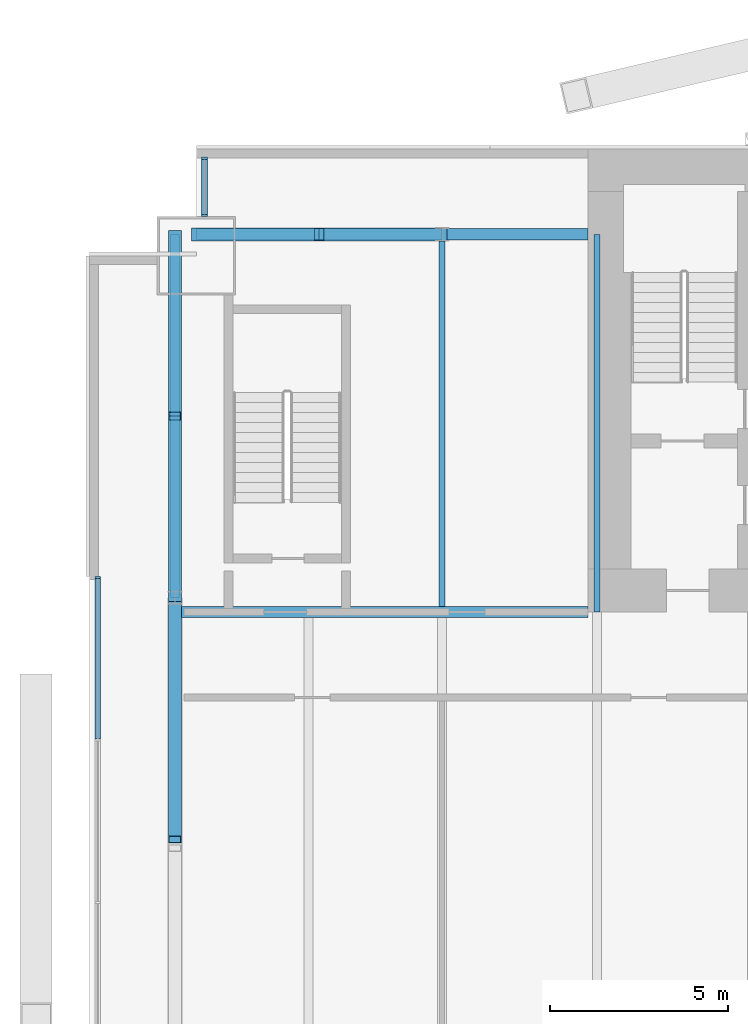
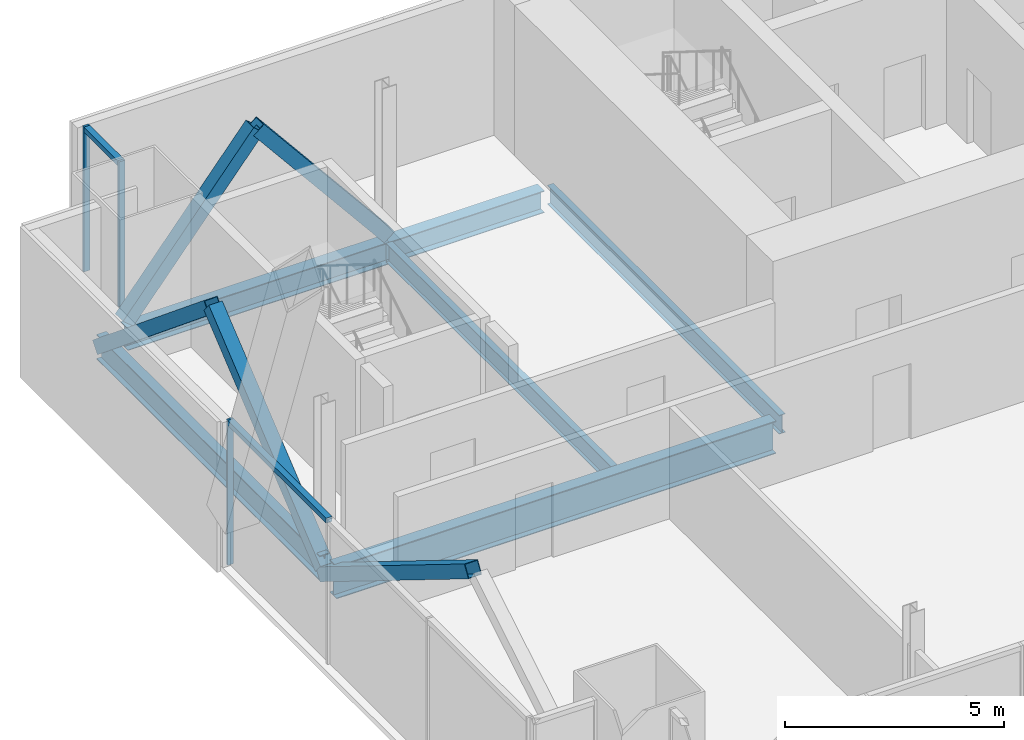
# One storey, part 9 of 23: 10 members, 6 beams, 2 elements without a shape of their own.
"""IFC4 building model written with IfcOpenShell, lengths in metres."""

from ifc_helpers import new_model, si_unit, direction, frame, origin, origin_2d, place, context, subcontext, project, spatial, rectangle, hollow_rectangle, i_section, extrude, material, material_profile, profile_set, type_object, element, aggregate, save


model = new_model("IFC4")

# Units and contexts
model_context = context("Model", 3, precision=1e-05, world=origin(), true_north=direction((0.0, 1.0)))
body_context = subcontext(model_context, "Body", "Model", "MODEL_VIEW")
ifc_project = project(units=[si_unit("LENGTHUNIT", "METRE"), si_unit("AREAUNIT", "SQUARE_METRE"), si_unit("VOLUMEUNIT", "CUBIC_METRE"), si_unit("PLANEANGLEUNIT", "RADIAN"), si_unit("MASSUNIT", "GRAM", prefix="KILO")], contexts=[model_context])

# Site, building, storey
site_placement = place(None, origin())
site = spatial("IfcSite", under=ifc_project, at=site_placement, CompositionType="ELEMENT")
building_placement = place(site_placement, origin())
building = spatial("IfcBuilding", under=site, at=building_placement, Name="Bicima Exchange Tower", CompositionType="ELEMENT")
storey_placement = place(building_placement, frame((0.0, 0.0, 262.39990234375)))
storey = spatial("IfcBuildingStorey", under=building, at=storey_placement, Name="L59", CompositionType="ELEMENT", Elevation=262.39990234375)

# Beam
ifc_material_1 = material(Name="Steel ASTM A992 Gr 50", Category="steel")
ifc_material_profile_1 = material_profile(ifc_material_1, i_section(OverallWidth=0.3046875, OverallDepth=0.911865234375, WebThickness=0.015869140625, FlangeThickness=0.02392578125, at=origin_2d()))
ifc_profile_set_1 = profile_set([ifc_material_profile_1], Name="Steel ASTM A992 Gr 50")
beam_type_1 = type_object("IfcBeamType", Name="Core-line girder W36x150", PredefinedType="BEAM", material=ifc_profile_set_1)
beam_1_placement = place(storey_placement, frame((-22.0, -13.0, -0.605712890625), z_axis=(-1.0, 0.0, 0.0), x_axis=(0.0, -1.0, 0.0)))
element("IfcBeam", 1, at=beam_1_placement, inside=storey, type_object=beam_type_1, Name="Core-line girder", PredefinedType="BEAM", context=body_context, shape_type="SweptSolid", body=[
    extrude(i_section(OverallWidth=0.3046875, OverallDepth=0.911865234375, WebThickness=0.015869140625, FlangeThickness=0.02392578125, at=origin_2d()), origin(), (0.0, 0.0, 1.0), 11.60009765625),
])

# Curtain wall, members
ifc_material_2 = material(Name="Anodised bronze aluminium", Category="aluminium")
curtain_wall_type_1 = type_object("IfcCurtainWallType", Name="End face glass wall", PredefinedType="NOTDEFINED", material=ifc_material_2)
curtain_wall_1_placement = place(storey_placement, origin())
curtain_wall_1 = element("IfcCurtainWall", 2, at=curtain_wall_1_placement, inside=storey, type_object=curtain_wall_type_1, Name="End face glass wall L59 run 2", PredefinedType="NOTDEFINED")
ifc_material_profile_2 = material_profile(ifc_material_2, rectangle(XDim=0.159912109375, YDim=0.06005859375, at=origin_2d()))
ifc_profile_set_2 = profile_set([ifc_material_profile_2], Name="Anodised bronze aluminium")
member_type_1 = type_object("IfcMemberType", Name="End face glass wall mullion 60 x 160", PredefinedType="MULLION", material=ifc_profile_set_2)
member_1_placement = place(storey_placement, frame((-35.77001953125, -12.030029296875, 0.0), z_axis=(0.0, 0.0, 1.0), x_axis=(1.0, 0.0, 0.0)))
member_1 = element("IfcMember", 3, at=member_1_placement, type_object=member_type_1, Name="End face glass wall mullion 1", PredefinedType="MULLION", context=body_context, shape_type="SweptSolid", body=[
    extrude(rectangle(XDim=0.159912109375, YDim=0.06005859375, at=origin_2d()), origin(), (0.0, 0.0, 1.0), 4.050048828125),
])
ifc_material_profile_3 = material_profile(ifc_material_2, rectangle(XDim=0.159912109375, YDim=0.139892578125, at=origin_2d()))
ifc_profile_set_3 = profile_set([ifc_material_profile_3], Name="Anodised bronze aluminium")
member_type_2 = type_object("IfcMemberType", Name="End face glass wall transom 140 x 160", PredefinedType="USERDEFINED", material=ifc_profile_set_3)
member_2_placement = place(storey_placement, frame((-35.77001953125, -12.06005859375, 3.97998046875), z_axis=(0.0, -1.0, 0.0), x_axis=(1.0, 0.0, 0.0)))
member_2 = element("IfcMember", 4, at=member_2_placement, type_object=member_type_2, Name="End face glass wall transom 1.1", ObjectType="TRANSOM", PredefinedType="USERDEFINED", context=body_context, shape_type="SweptSolid", body=[
    extrude(rectangle(XDim=0.159912109375, YDim=0.139892578125, at=origin_2d()), origin(), (0.0, 0.0, 1.0), 4.505859375),
])
aggregate(curtain_wall_1, [member_1, member_2])

# Beams
ifc_material_profile_4 = material_profile(ifc_material_1, i_section(OverallWidth=0.256591796875, OverallDepth=0.693359375, WebThickness=0.014404296875, FlangeThickness=0.023681640625, at=origin_2d()))
ifc_profile_set_4 = profile_set([ifc_material_profile_4], Name="Steel ASTM A992 Gr 50")
beam_type_2 = type_object("IfcBeamType", Name="End girder W27x114", PredefinedType="BEAM", material=ifc_profile_set_4)
beam_2_placement = place(storey_placement, frame((-33.60009765625, -2.39990234375, -0.49658203125), z_axis=(0.0, -1.0, 0.0), x_axis=(1.0, 0.0, 0.0)))
element("IfcBeam", 5, at=beam_2_placement, inside=storey, type_object=beam_type_2, Name="End girder", PredefinedType="BEAM", context=body_context, shape_type="SweptSolid", body=[
    extrude(i_section(OverallWidth=0.256591796875, OverallDepth=0.693359375, WebThickness=0.014404296875, FlangeThickness=0.023681640625, at=origin_2d()), origin(), (0.0, 0.0, 1.0), 10.2001953125),
])
ifc_material_profile_5 = material_profile(ifc_material_1, i_section(OverallWidth=0.165771484375, OverallDepth=0.5283203125, WebThickness=0.009765625, FlangeThickness=0.013671875, at=origin_2d()))
ifc_profile_set_5 = profile_set([ifc_material_profile_5], Name="Steel ASTM A992 Gr 50")
beam_type_3 = type_object("IfcBeamType", Name="Floor beam W21x50", PredefinedType="JOIST", material=ifc_profile_set_5)
beam_3_placement = place(storey_placement, frame((-26.10009765625, -2.5625, -0.4140625), z_axis=(0.0, -1.0, 0.0), x_axis=(1.0, 0.0, 0.0)))
element("IfcBeam", 6, at=beam_3_placement, inside=storey, type_object=beam_type_3, Name="Floor beam", PredefinedType="JOIST", context=body_context, shape_type="SweptSolid", body=[
    extrude(i_section(OverallWidth=0.165771484375, OverallDepth=0.5283203125, WebThickness=0.009765625, FlangeThickness=0.013671875, at=origin_2d()), origin(), (0.0, 0.0, 1.0), 10.28515625),
])
beam_4_placement = place(storey_placement, frame((-21.75, -2.39990234375, -0.4140625), z_axis=(0.0, -1.0, 0.0), x_axis=(1.0, 0.0, 0.0)))
element("IfcBeam", 7, at=beam_4_placement, inside=storey, type_object=beam_type_3, Name="Floor beam", PredefinedType="JOIST", context=body_context, shape_type="SweptSolid", body=[
    extrude(i_section(OverallWidth=0.165771484375, OverallDepth=0.5283203125, WebThickness=0.009765625, FlangeThickness=0.013671875, at=origin_2d()), origin(), (0.0, 0.0, 1.0), 10.60009765625),
])

# Curtain wall, members
curtain_wall_type_2 = type_object("IfcCurtainWallType", Name="Front glass wall", PredefinedType="NOTDEFINED", material=ifc_material_2)
curtain_wall_2_placement = place(storey_placement, origin())
curtain_wall_2 = element("IfcCurtainWall", 8, at=curtain_wall_2_placement, inside=storey, type_object=curtain_wall_type_2, Name="Front glass wall L59 run 1", PredefinedType="NOTDEFINED")
member_type_3 = type_object("IfcMemberType", Name="Front glass wall mullion 60 x 160", PredefinedType="MULLION", material=ifc_profile_set_2)
member_3_placement = place(storey_placement, frame((-32.77001953125, -0.260009765625, 0.0), z_axis=(0.0, 0.0, 1.0), x_axis=(1.0, 0.0, 0.0)))
member_3 = element("IfcMember", 9, at=member_3_placement, type_object=member_type_3, Name="Front glass wall mullion 1", PredefinedType="MULLION", context=body_context, shape_type="SweptSolid", body=[
    extrude(rectangle(XDim=0.159912109375, YDim=0.06005859375, at=origin_2d()), origin(), (0.0, 0.0, 1.0), 4.050048828125),
])
member_4_placement = place(storey_placement, frame((-32.77001953125, -1.8701171875, 0.0), z_axis=(0.0, 0.0, 1.0), x_axis=(1.0, 0.0, 0.0)))
member_4 = element("IfcMember", 10, at=member_4_placement, type_object=member_type_3, Name="Front glass wall mullion 2", PredefinedType="MULLION", context=body_context, shape_type="SweptSolid", body=[
    extrude(rectangle(XDim=0.159912109375, YDim=0.06005859375, at=origin_2d()), origin(), (0.0, 0.0, 1.0), 4.050048828125),
])
member_type_4 = type_object("IfcMemberType", Name="Front glass wall transom 140 x 160", PredefinedType="USERDEFINED", material=ifc_profile_set_3)
member_5_placement = place(storey_placement, frame((-32.77001953125, -0.2900390625, 3.97998046875), z_axis=(0.0, -1.0, 0.0), x_axis=(1.0, 0.0, 0.0)))
member_5 = element("IfcMember", 11, at=member_5_placement, type_object=member_type_4, Name="Front glass wall transom 1.1", ObjectType="TRANSOM", PredefinedType="USERDEFINED", context=body_context, shape_type="SweptSolid", body=[
    extrude(rectangle(XDim=0.159912109375, YDim=0.139892578125, at=origin_2d()), origin(), (0.0, 0.0, 1.0), 1.550048828125),
])
aggregate(curtain_wall_2, [member_3, member_4, member_5])

# Members
ifc_material_3 = material(Name="Steel ASTM A572 Gr 50", Category="steel")
ifc_material_profile_6 = material_profile(ifc_material_3, hollow_rectangle(XDim=0.355712890625, YDim=0.355712890625, WallThickness=0.0146484375, at=origin_2d()))
ifc_profile_set_6 = profile_set([ifc_material_profile_6], Name="Steel ASTM A572 Gr 50")
member_type_5 = type_object("IfcMemberType", Name="Mega brace HSS14x14x5/8", PredefinedType="BRACE", material=ifc_profile_set_6)
for number, where, z_axis, x_axis, name in (
    (12, (-33.0, -2.39990234375, 0.0), (0.634716434539, 0.0, 0.772745137627), (0.0, 1.0, 0.0), "Mega brace rear"),
    (13, (-26.10009765625, -2.39990234375, 0.0), (-0.634716434539, 0.0, 0.772745137627), (0.0, -1.0, 0.0), "Mega brace rear"),
):
    element("IfcMember", number, at=place(storey_placement, frame(where, z_axis=z_axis, x_axis=x_axis)), inside=storey, type_object=member_type_5, Name=name, PredefinedType="BRACE", context=body_context, shape_type="SweptSolid", body=[
        extrude(hollow_rectangle(XDim=0.355712890625, YDim=0.355712890625, WallThickness=0.0146484375, at=origin_2d()), origin(), (0.0, 0.0, 1.0), 5.435302734375),
    ])
for number, where, z_axis, x_axis, name in (
    (14, (-33.60009765625, -2.39990234375, -0.49658203125), (0.0, -0.771939835586, 0.635695595576), (1.0, 0.0, 0.0), "Mega brace west end"),
    (15, (-33.60009765625, -12.60009765625, -0.49658203125), (0.0, 0.771939835586, 0.635695595576), (-1.0, 0.0, 0.0), "Mega brace west end"),
):
    element("IfcMember", number, at=place(storey_placement, frame(where, z_axis=z_axis, x_axis=x_axis)), inside=storey, type_object=member_type_5, Name=name, PredefinedType="BRACE", context=body_context, shape_type="SweptSolid", body=[
        extrude(hollow_rectangle(XDim=0.355712890625, YDim=0.355712890625, WallThickness=0.0146484375, at=origin_2d()), origin(), (0.0, 0.0, 1.0), 6.60693359375),
    ])
member_6_placement = place(storey_placement, frame((-33.60009765625, -12.60009765625, -0.645263671875), z_axis=(0.0, -0.850447570222, 0.526059816279), x_axis=(1.0, 0.0, 0.0)))
element("IfcMember", 16, at=member_6_placement, inside=storey, type_object=member_type_5, Name="Mega brace west end", PredefinedType="BRACE", context=body_context, shape_type="SweptSolid", body=[
    extrude(hollow_rectangle(XDim=0.355712890625, YDim=0.355712890625, WallThickness=0.0146484375, at=origin_2d()), origin(), (0.0, 0.0, 1.0), 7.98388671875),
])

# Beams
ifc_material_profile_7 = material_profile(ifc_material_1, i_section(OverallWidth=0.3251953125, OverallDepth=0.612060546875, WebThickness=0.0126953125, FlangeThickness=0.01904296875, at=origin_2d()))
ifc_profile_set_7 = profile_set([ifc_material_profile_7], Name="Steel ASTM A992 Gr 50")
beam_type_4 = type_object("IfcBeamType", Name="Rear girder W24x104", PredefinedType="BEAM", material=ifc_profile_set_7)
beam_5_placement = place(storey_placement, frame((-22.0, -2.39990234375, -0.4560546875), z_axis=(-1.0, 0.0, 0.0), x_axis=(0.0, -1.0, 0.0)))
element("IfcBeam", 17, at=beam_5_placement, inside=storey, type_object=beam_type_4, Name="Rear girder", PredefinedType="BEAM", context=body_context, shape_type="SweptSolid", body=[
    extrude(i_section(OverallWidth=0.3251953125, OverallDepth=0.612060546875, WebThickness=0.0126953125, FlangeThickness=0.01904296875, at=origin_2d()), origin(), (0.0, 0.0, 1.0), 4.10009765625),
])
beam_6_placement = place(storey_placement, frame((-26.10009765625, -2.39990234375, -0.4560546875), z_axis=(-1.0, 0.0, 0.0), x_axis=(0.0, -1.0, 0.0)))
element("IfcBeam", 18, at=beam_6_placement, inside=storey, type_object=beam_type_4, Name="Rear girder", PredefinedType="BEAM", context=body_context, shape_type="SweptSolid", body=[
    extrude(i_section(OverallWidth=0.3251953125, OverallDepth=0.612060546875, WebThickness=0.0126953125, FlangeThickness=0.01904296875, at=origin_2d()), origin(), (0.0, 0.0, 1.0), 6.89990234375),
])

save(model, "model.ifc")
